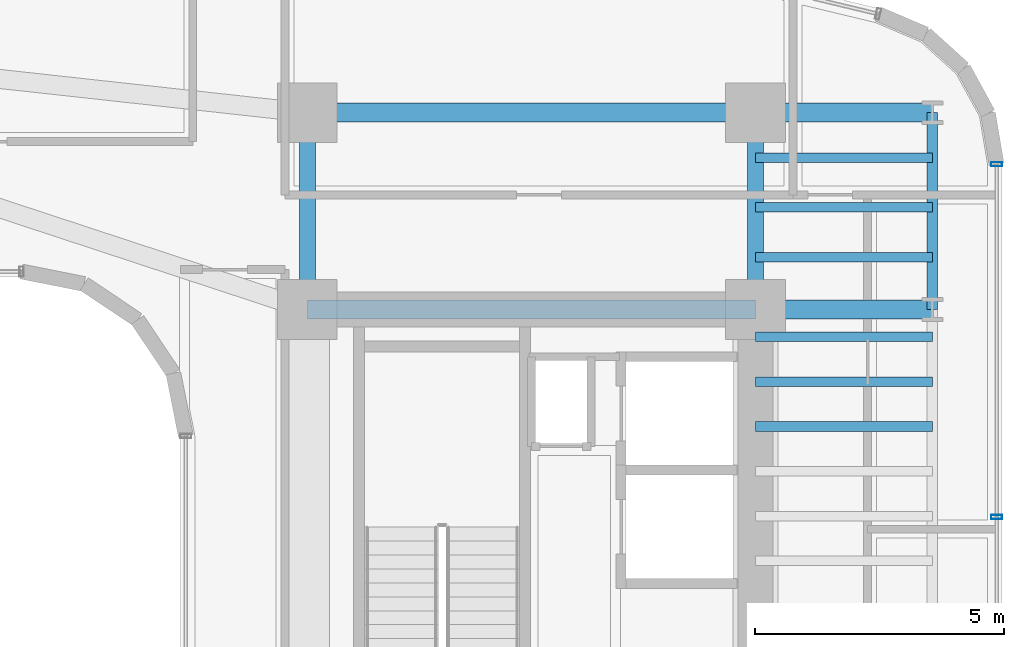
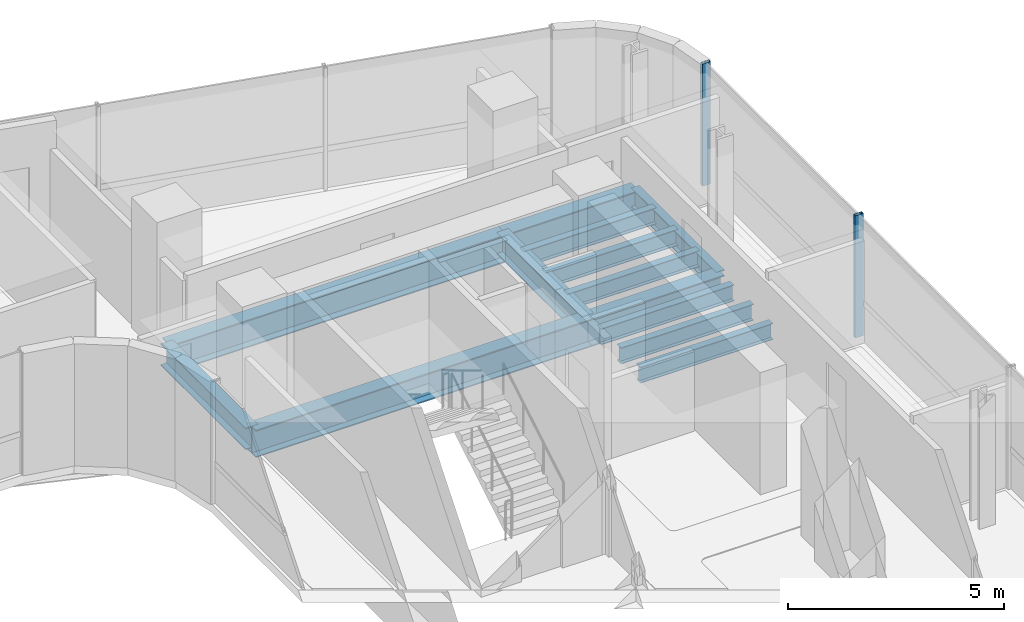
# One storey, part 19 of 37: 13 beams, 2 members, 1 element without a shape of its own.
"""IFC4 building model written with IfcOpenShell, lengths in metres."""

from ifc_helpers import new_model, si_unit, direction, frame, origin, origin_2d, place, context, subcontext, project, spatial, hollow_rectangle, i_section, extrude, source, transform, mapped, material, material_profile, profile_set, type_object, element, aggregate, save


model = new_model("IFC4")

# Units and contexts
model_context = context("Model", 3, precision=1e-05, world=origin(), true_north=direction((0.0, 1.0)))
body_context = subcontext(model_context, "Body", "Model", "MODEL_VIEW")
ifc_project = project(units=[si_unit("LENGTHUNIT", "METRE"), si_unit("AREAUNIT", "SQUARE_METRE"), si_unit("VOLUMEUNIT", "CUBIC_METRE"), si_unit("PLANEANGLEUNIT", "RADIAN"), si_unit("MASSUNIT", "GRAM", prefix="KILO")], contexts=[model_context])

# Site, building, storey
site_placement = place(None, origin())
site = spatial("IfcSite", under=ifc_project, at=site_placement, CompositionType="ELEMENT")
building_placement = place(site_placement, origin())
building = spatial("IfcBuilding", under=site, at=building_placement, Name="Valdorenza Pilgrim Sanctuary Tower", CompositionType="ELEMENT")
storey_placement = place(building_placement, frame((0.0, 0.0, 135.300048828125)))
storey = spatial("IfcBuildingStorey", under=building, at=storey_placement, Name="L34", CompositionType="ELEMENT", Elevation=135.300048828125)

# Beams
ifc_material_1 = material(Name="Steel ASTM A992 Grade 50", Category="steel")
ifc_material_profile_1 = material_profile(ifc_material_1, i_section(OverallWidth=0.323974609375, OverallDepth=0.611083984375, WebThickness=0.0126953125, FlangeThickness=0.01904296875, at=origin_2d()), Name="W24X104")
ifc_profile_set_1 = profile_set([ifc_material_profile_1], Name="Steel ASTM A992 Grade 50")
beam_type_1 = type_object("IfcBeamType", Name="STR-BM-GRD-W24B", PredefinedType="BEAM", material=ifc_profile_set_1)
shared_shape_1 = source(origin(), body_context, "Body", "SweptSolid", [
    extrude(i_section(OverallWidth=0.323974609375, OverallDepth=0.611083984375, WebThickness=0.0126953125, FlangeThickness=0.01904296875, at=origin_2d()), origin(), (0.0, 0.0, 1.0), 3.949951171875),
])
for number, where, z_axis, x_axis, name in (
    (1, (15.85009765625, 9.550048828125, -0.545654296875), (0.0, 1.0, 0.0), (-1.0, 0.0, 0.0), "L34 Core Tie Girder CB-W-N1N2"),
    (2, (24.85009765625, 9.550048828125, -0.545654296875), (0.0, 1.0, 0.0), (-1.0, 0.0, 0.0), "L34 Core Tie Girder CB-E-N1N2"),
):
    element("IfcBeam", number, at=place(storey_placement, frame(where, z_axis=z_axis, x_axis=x_axis)), inside=storey, type_object=beam_type_1, Name=name, PredefinedType="BEAM", context=body_context, shape_type="MappedRepresentation", body=[
        mapped(shared_shape_1, transform((0.0, 0.0, 0.0), x_axis=(1.0, 0.0, 0.0), y_axis=(0.0, 1.0, 0.0), z_axis=(0.0, 0.0, 1.0), scale=1.0)),
    ])
ifc_material_profile_2 = material_profile(ifc_material_1, i_section(OverallWidth=0.214111328125, OverallDepth=0.549072265625, WebThickness=0.0146484375, FlangeThickness=0.023681640625, at=origin_2d()), Name="W21X93")
ifc_profile_set_2 = profile_set([ifc_material_profile_2], Name="Steel ASTM A992 Grade 50")
beam_type_2 = type_object("IfcBeamType", Name="STR-BM-SPN-W21A", PredefinedType="SPANDREL", material=ifc_profile_set_2)
shared_shape_2 = source(origin(), body_context, "Body", "SweptSolid", [
    extrude(i_section(OverallWidth=0.214111328125, OverallDepth=0.549072265625, WebThickness=0.0146484375, FlangeThickness=0.023681640625, at=origin_2d()), origin(), (0.0, 0.0, 1.0), 3.949951171875),
])
beam_placement = place(storey_placement, frame((28.39990234375, 9.550048828125, -0.5146484375), z_axis=(0.0, 1.0, 0.0), x_axis=(-1.0, 0.0, 0.0)))
element("IfcBeam", 3, at=beam_placement, inside=storey, type_object=beam_type_2, Name="L34 Spandrel Beam WB-E-N1N2", PredefinedType="SPANDREL", context=body_context, shape_type="MappedRepresentation", body=[
    mapped(shared_shape_2, transform((0.0, 0.0, 0.0), x_axis=(1.0, 0.0, 0.0), y_axis=(0.0, 1.0, 0.0), z_axis=(0.0, 0.0, 1.0), scale=1.0)),
])
ifc_material_profile_3 = material_profile(ifc_material_1, i_section(OverallWidth=0.382080078125, OverallDepth=0.779052734375, WebThickness=0.01806640625, FlangeThickness=0.030029296875, at=origin_2d()), Name="W30X191")
ifc_profile_set_3 = profile_set([ifc_material_profile_3], Name="Steel ASTM A992 Grade 50")
beam_type_3 = type_object("IfcBeamType", Name="STR-BM-GRD-W30", PredefinedType="BEAM", material=ifc_profile_set_3)
shared_shape_3 = source(origin(), body_context, "Body", "SweptSolid", [
    extrude(i_section(OverallWidth=0.382080078125, OverallDepth=0.779052734375, WebThickness=0.01806640625, FlangeThickness=0.030029296875, at=origin_2d()), origin(), (0.0, 0.0, 1.0), 9.0),
])
for number, where, z_axis, x_axis, name in (
    (4, (15.85009765625, 9.550048828125, -0.629638671875), (1.0, 0.0, 0.0), (0.0, 1.0, 0.0), "L34 Floor Girder CB-XC-N1"),
    (5, (15.85009765625, 13.5, -0.629638671875), (1.0, 0.0, 0.0), (0.0, 1.0, 0.0), "L34 Floor Girder CB-XC-N2"),
):
    element("IfcBeam", number, at=place(storey_placement, frame(where, z_axis=z_axis, x_axis=x_axis)), inside=storey, type_object=beam_type_3, Name=name, PredefinedType="BEAM", context=body_context, shape_type="MappedRepresentation", body=[
        mapped(shared_shape_3, transform((0.0, 0.0, 0.0), x_axis=(1.0, 0.0, 0.0), y_axis=(0.0, 1.0, 0.0), z_axis=(0.0, 0.0, 1.0), scale=1.0)),
    ])
shared_shape_4 = source(origin(), body_context, "Body", "SweptSolid", [
    extrude(i_section(OverallWidth=0.382080078125, OverallDepth=0.779052734375, WebThickness=0.01806640625, FlangeThickness=0.030029296875, at=origin_2d()), origin(), (0.0, 0.0, 1.0), 3.5498046875),
])
for number, where, z_axis, x_axis, name in (
    (6, (24.85009765625, 9.550048828125, -0.629638671875), (1.0, 0.0, 0.0), (0.0, 1.0, 0.0), "L34 Floor Girder WB-XE-N1"),
    (7, (24.85009765625, 13.5, -0.629638671875), (1.0, 0.0, 0.0), (0.0, 1.0, 0.0), "L34 Floor Girder WB-XE-N2"),
):
    element("IfcBeam", number, at=place(storey_placement, frame(where, z_axis=z_axis, x_axis=x_axis)), inside=storey, type_object=beam_type_3, Name=name, PredefinedType="BEAM", context=body_context, shape_type="MappedRepresentation", body=[
        mapped(shared_shape_4, transform((0.0, 0.0, 0.0), x_axis=(1.0, 0.0, 0.0), y_axis=(0.0, 1.0, 0.0), z_axis=(0.0, 0.0, 1.0), scale=1.0)),
    ])
ifc_material_profile_4 = material_profile(ifc_material_1, i_section(OverallWidth=0.19091796875, OverallDepth=0.45703125, WebThickness=0.009033203125, FlangeThickness=0.014404296875, at=origin_2d()), Name="W18X50")
ifc_profile_set_4 = profile_set([ifc_material_profile_4], Name="Steel ASTM A992 Grade 50")
beam_type_4 = type_object("IfcBeamType", Name="STR-BM-JST-W18B", PredefinedType="JOIST", material=ifc_profile_set_4)
shared_shape_5 = source(origin(), body_context, "Body", "SweptSolid", [
    extrude(i_section(OverallWidth=0.19091796875, OverallDepth=0.45703125, WebThickness=0.009033203125, FlangeThickness=0.014404296875, at=origin_2d()), origin(), (0.0, 0.0, 1.0), 3.5498046875),
])
for number, where, z_axis, x_axis, name in (
    (8, (24.85009765625, 7.199951171875, -0.468505859375), (1.0, 0.0, 0.0), (0.0, 1.0, 0.0), "L34 Composite Floor Joist JST-WB-16"),
    (9, (24.85009765625, 8.10009765625, -0.468505859375), (1.0, 0.0, 0.0), (0.0, 1.0, 0.0), "L34 Composite Floor Joist JST-WB-17"),
    (10, (24.85009765625, 9.0, -0.468505859375), (1.0, 0.0, 0.0), (0.0, 1.0, 0.0), "L34 Composite Floor Joist JST-WB-18"),
    (11, (24.85009765625, 10.60009765625, -0.468505859375), (1.0, 0.0, 0.0), (0.0, 1.0, 0.0), "L34 Composite Floor Joist JST-WB-19"),
    (12, (24.85009765625, 11.60009765625, -0.468505859375), (1.0, 0.0, 0.0), (0.0, 1.0, 0.0), "L34 Composite Floor Joist JST-WB-20"),
    (13, (24.85009765625, 12.60009765625, -0.468505859375), (1.0, 0.0, 0.0), (0.0, 1.0, 0.0), "L34 Composite Floor Joist JST-WB-21"),
):
    element("IfcBeam", number, at=place(storey_placement, frame(where, z_axis=z_axis, x_axis=x_axis)), inside=storey, type_object=beam_type_4, Name=name, PredefinedType="JOIST", context=body_context, shape_type="MappedRepresentation", body=[
        mapped(shared_shape_5, transform((0.0, 0.0, 0.0), x_axis=(1.0, 0.0, 0.0), y_axis=(0.0, 1.0, 0.0), z_axis=(0.0, 0.0, 1.0), scale=1.0)),
    ])

# Curtain wall, members
ifc_material_2 = material(Name="Curtain-wall IGU glazing", Category="glass")
curtain_wall_type = type_object("IfcCurtainWallType", Name="CW-SYS-03", PredefinedType="NOTDEFINED", material=ifc_material_2)
curtain_wall_placement = place(storey_placement, origin())
curtain_wall = element("IfcCurtainWall", 14, at=curtain_wall_placement, inside=storey, type_object=curtain_wall_type, Name="L34 Curtain Wall CW-L34-1-21", PredefinedType="NOTDEFINED")
ifc_material_3 = material(Name="Anodised aluminium AW-6060", Category="aluminium")
ifc_material_profile_5 = material_profile(ifc_material_3, hollow_rectangle(XDim=0.0849609375, YDim=0.219970703125, WallThickness=0.0048828125, at=origin_2d()), Name="ALU-M 220x85x5")
ifc_profile_set_5 = profile_set([ifc_material_profile_5], Name="Anodised aluminium AW-6060")
member_type = type_object("IfcMemberType", Name="CW-MUL-03", PredefinedType="MULLION", material=ifc_profile_set_5)
shared_shape_6 = source(origin(), body_context, "Body", "SweptSolid", [
    extrude(hollow_rectangle(XDim=0.0849609375, YDim=0.219970703125, WallThickness=0.0048828125, at=origin_2d()), origin(), (0.0, 0.0, 1.0), 3.4599609375),
])
member_1_placement = place(storey_placement, frame((29.68994140625, 12.46630859375, 0.0), z_axis=(0.0, 0.0, 1.0), x_axis=(0.0, -1.0, 0.0)))
member_1 = element("IfcMember", 15, at=member_1_placement, type_object=member_type, Name="CW-L34-1-21 Mullion 1", PredefinedType="MULLION", context=body_context, shape_type="MappedRepresentation", body=[
    mapped(shared_shape_6, transform((0.0, 0.0, 0.0), x_axis=(1.0, 0.0, 0.0), y_axis=(0.0, 1.0, 0.0), z_axis=(0.0, 0.0, 1.0), scale=1.0)),
])
member_2_placement = place(storey_placement, frame((29.68994140625, 5.381103515625, 0.0), z_axis=(0.0, 0.0, 1.0), x_axis=(0.0, -1.0, 0.0)))
member_2 = element("IfcMember", 16, at=member_2_placement, type_object=member_type, Name="CW-L34-1-21 Mullion 2", PredefinedType="MULLION", context=body_context, shape_type="MappedRepresentation", body=[
    mapped(shared_shape_6, transform((0.0, 0.0, 0.0), x_axis=(1.0, 0.0, 0.0), y_axis=(0.0, 1.0, 0.0), z_axis=(0.0, 0.0, 1.0), scale=1.0)),
])
aggregate(curtain_wall, [member_1, member_2])

save(model, "model.ifc")
